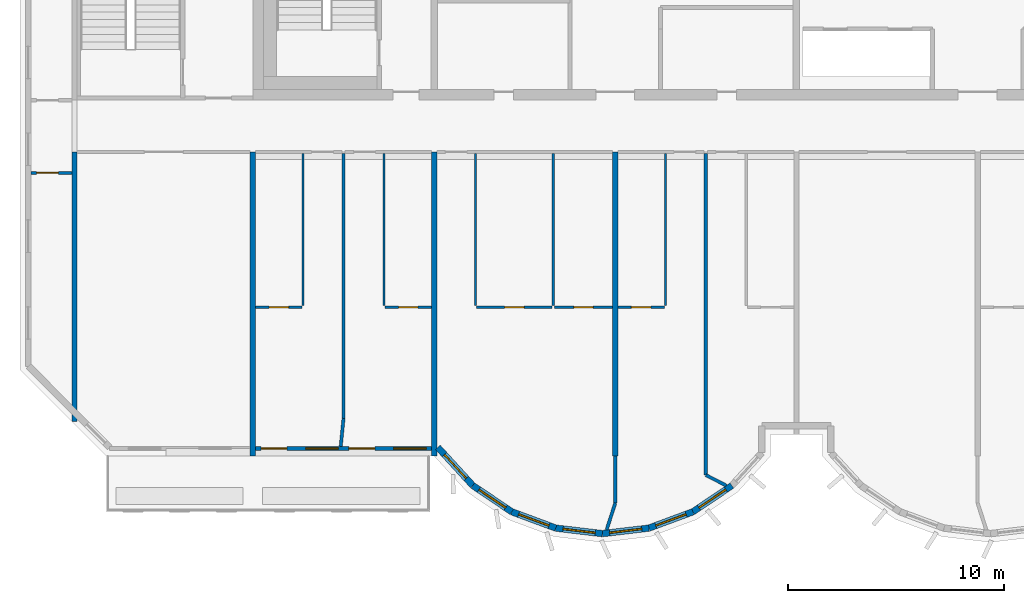
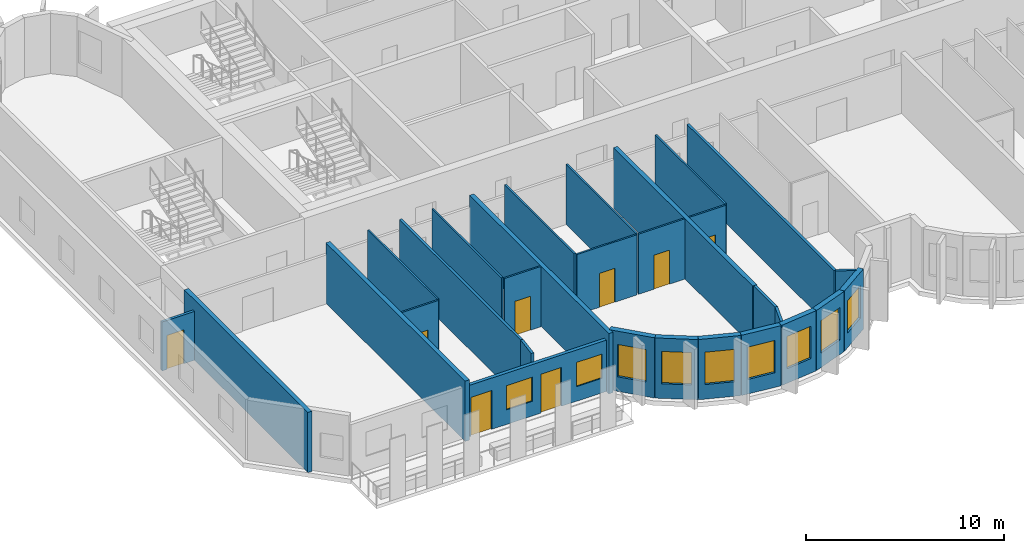
# One storey, part 2 of 11: 29 walls, 9 windows, 8 doors, 17 openings.
"""IFC4 building model written with IfcOpenShell, lengths in metres."""

import ifcopenshell
import ifcopenshell.guid

model = None  # the IFC model being written
_history = None  # IfcOwnerHistory: only IFC2X3 demands one
_inside = {}  # id of a spatial element -> (the spatial element, [elements in it])
_under = {}  # id of a project, library or spatial element -> (it, [spatial elements below it])
_declared = {}  # id of a project -> (the project, [libraries it declares])
_typed = {}  # id of a type object -> (the type object, [elements of that type])
_made_of = {}  # id of a material, layer set ... -> (it, [elements and type objects made of it])


def new_model(schema):
    """Start an empty IFC model of exactly this schema.

    Asked for "IFC4X3", IfcOpenShell would pick the latest addendum, in which some entities
    have other attributes; the version numbers below select the first issue.
    IFC2X3 requires an IfcOwnerHistory on every rooted entity: one is made here for all.
    """
    global model, _history
    if schema == "IFC4X3":
        model = ifcopenshell.file(schema_version=(4, 3, 0, 0))
    else:
        model = ifcopenshell.file(schema=schema)
    _inside.clear()
    _under.clear()
    _declared.clear()
    _typed.clear()
    _made_of.clear()
    _history = None
    if model.schema == "IFC2X3":
        org = make("IfcOrganization", Name="unknown")
        user = make(
            "IfcPersonAndOrganization",
            ThePerson=make("IfcPerson", FamilyName="unknown"),
            TheOrganization=org,
        )
        app = make(
            "IfcApplication",
            ApplicationDeveloper=org,
            Version="unknown",
            ApplicationFullName="unknown",
            ApplicationIdentifier="unknown",
        )
        _history = make(
            "IfcOwnerHistory",
            OwningUser=user,
            OwningApplication=app,
            ChangeAction="ADDED",
            CreationDate=0,
        )
    return model


def make(cls, **values):
    """One entity of the class cls with the attributes given. An attribute that is None is left unset."""
    return model.create_entity(
        cls, **{name: value for name, value in values.items() if value is not None}
    )


def rooted(cls, **values):
    """An entity with a GlobalId (a new one), such as an element, a storey or a relation."""
    return make(cls, GlobalId=ifcopenshell.guid.new(), OwnerHistory=_history, **values)


def si_unit(unit_type, name, prefix=None):
    """IfcSIUnit, for example si_unit("LENGTHUNIT", "METRE", prefix="MILLI")."""
    return make("IfcSIUnit", UnitType=unit_type, Prefix=prefix, Name=name)


def assignment(units):
    """IfcUnitAssignment: the units of a project."""
    return None if units is None else make("IfcUnitAssignment", Units=units)


def point(xyz):
    """IfcCartesianPoint."""
    return None if xyz is None else make("IfcCartesianPoint", Coordinates=xyz)


def direction(xyz):
    """IfcDirection."""
    return None if xyz is None else make("IfcDirection", DirectionRatios=xyz)


def frame(location, z_axis=None, x_axis=None):
    """IfcAxis2Placement3D, a coordinate frame: its origin and axes. An axis left out is left unset."""
    return make(
        "IfcAxis2Placement3D",
        Location=point(location),
        Axis=direction(z_axis),
        RefDirection=direction(x_axis),
    )


def frame_2d(location, x_axis=None):
    """IfcAxis2Placement2D, a coordinate frame in the plane: its origin and x axis."""
    return make(
        "IfcAxis2Placement2D", Location=point(location), RefDirection=direction(x_axis)
    )


def origin():
    """The frame at (0, 0, 0) with its axes left unset."""
    return frame((0.0, 0.0, 0.0))


def place(relative_to, where):
    """IfcLocalPlacement: puts the frame where relative to a parent placement (None: the world)."""
    return make(
        "IfcLocalPlacement", PlacementRelTo=relative_to, RelativePlacement=where
    )


def context(
    kind, dimensions, precision=None, world=None, true_north=None, identifier=None
):
    """IfcGeometricRepresentationContext, for example the 3D "Model" context."""
    return make(
        "IfcGeometricRepresentationContext",
        ContextIdentifier=identifier,
        ContextType=kind,
        CoordinateSpaceDimension=dimensions,
        Precision=precision,
        WorldCoordinateSystem=world,
        TrueNorth=true_north,
    )


def subcontext(parent, identifier, kind, view, scale=None):
    """IfcGeometricRepresentationSubContext, for example "Body" below "Model"."""
    return make(
        "IfcGeometricRepresentationSubContext",
        ContextIdentifier=identifier,
        ContextType=kind,
        ParentContext=parent,
        TargetScale=scale,
        TargetView=view,
    )


def project(units=None, contexts=None):
    """IfcProject with its units and contexts."""
    return rooted(
        "IfcProject",
        Name="project",
        RepresentationContexts=contexts,
        UnitsInContext=assignment(units),
    )


def spatial(cls, under=None, at=None, **own):
    """A site, building, storey or space (cls), placed at a placement, below another one or the project."""
    s = rooted(cls, ObjectPlacement=at, **own)
    if under is not None:
        _under.setdefault(under.id(), (under, []))[1].append(s)
    return s


def profile(cls, at=None, kind="AREA", **sizes):
    """A parametric profile (cls). Its sizes go by their IFC names, for example OverallWidth=200.0."""
    return make(cls, ProfileType=kind, Position=at, **sizes)


def rectangle(**sizes):
    """IfcRectangleProfileDef."""
    return profile("IfcRectangleProfileDef", **sizes)


def extrude(swept, where, along, depth):
    """IfcExtrudedAreaSolid: the profile swept, set in the frame where, extruded along a direction by depth."""
    return make(
        "IfcExtrudedAreaSolid",
        SweptArea=swept,
        Position=where,
        ExtrudedDirection=direction(along),
        Depth=depth,
    )


def shape(context_of_items, identifier, shape_type, items):
    """IfcShapeRepresentation: the items that make up one representation, for example the "Body"."""
    return make(
        "IfcShapeRepresentation",
        ContextOfItems=context_of_items,
        RepresentationIdentifier=identifier,
        RepresentationType=shape_type,
        Items=items,
    )


def source(mapping_origin, context_of_items, identifier, shape_type, items):
    """IfcRepresentationMap: a shape defined once, which mapped items show again and again."""
    return make(
        "IfcRepresentationMap",
        MappingOrigin=mapping_origin,
        MappedRepresentation=shape(context_of_items, identifier, shape_type, items),
    )


def transform(
    local_origin,
    x_axis=None,
    y_axis=None,
    z_axis=None,
    scale=None,
    scale2=None,
    scale3=None,
    uniform=True,
):
    """IfcCartesianTransformationOperator3D, or its non-uniform kind. x_axis, y_axis, z_axis: its Axis1, 2, 3."""
    if uniform:
        return make(
            "IfcCartesianTransformationOperator3D",
            Axis1=direction(x_axis),
            Axis2=direction(y_axis),
            LocalOrigin=point(local_origin),
            Scale=scale,
            Axis3=direction(z_axis),
        )
    return make(
        "IfcCartesianTransformationOperator3DnonUniform",
        Axis1=direction(x_axis),
        Axis2=direction(y_axis),
        LocalOrigin=point(local_origin),
        Scale=scale,
        Axis3=direction(z_axis),
        Scale2=scale2,
        Scale3=scale3,
    )


def mapped(mapping_source, mapping_target):
    """IfcMappedItem: shows the shape of a source again, moved by a transform."""
    return make(
        "IfcMappedItem", MappingSource=mapping_source, MappingTarget=mapping_target
    )


def material(Name=None, Category=None):
    """IfcMaterial."""
    return make("IfcMaterial", Name=Name, Category=Category)


def layer(
    of_material, thickness, ventilated=None, Name=None, Category=None, Priority=None
):
    """IfcMaterialLayer: one layer of a wall or slab, of a material (None: an air gap)."""
    return make(
        "IfcMaterialLayer",
        Material=of_material,
        LayerThickness=thickness,
        IsVentilated=ventilated,
        Name=Name,
        Category=Category,
        Priority=Priority,
    )


def layer_set(layers, Name=None):
    """IfcMaterialLayerSet."""
    return make("IfcMaterialLayerSet", MaterialLayers=layers, LayerSetName=Name)


def made_of(thing, what):
    """Note that an element or type object is made of a material, layer set ...; save() writes the relation."""
    if what is not None:
        _made_of.setdefault(what.id(), (what, []))[1].append(thing)
    return thing


def type_object(cls, material=None, **own):
    """A type object (cls), such as IfcWallType, which elements share."""
    return made_of(rooted(cls, **own), material)


def element(
    cls,
    number,
    at=None,
    inside=None,
    cuts=None,
    type_object=None,
    material=None,
    context=None,
    identifier="Body",
    shape_type=None,
    held_by="IfcProductDefinitionShape",
    body=None,
    shapes=None,
    **own,
):
    """One element of the class cls, such as IfcWall. Its Tag is "e" and its number.

    at: its placement. inside: the storey or other place that contains it. cuts: it is an
    opening in that element (IfcRelVoidsElement). A single representation is given by context,
    identifier, shape_type and body (its items); several are given by shapes. held_by: the class
    of the entity that holds the representations. save() writes the other relations.
    """
    e = rooted(cls, Tag="e%d" % number, ObjectPlacement=at, **own)
    if body is not None:
        shapes = [shape(context, identifier, shape_type, body)]
    if shapes is not None:
        e.Representation = make(held_by, Representations=shapes)
    if inside is not None:
        _inside.setdefault(inside.id(), (inside, []))[1].append(e)
    if cuts is not None:
        rooted(
            "IfcRelVoidsElement", RelatingBuildingElement=cuts, RelatedOpeningElement=e
        )
    if type_object is not None:
        _typed.setdefault(type_object.id(), (type_object, []))[1].append(e)
    return made_of(e, material)


def fill(opening, filler):
    """IfcRelFillsElement: the door or window that sits in an opening."""
    return rooted(
        "IfcRelFillsElement",
        RelatingOpeningElement=opening,
        RelatedBuildingElement=filler,
    )


def aggregate(whole, parts):
    """IfcRelAggregates: a whole, such as a stair, and the parts it consists of."""
    return rooted("IfcRelAggregates", RelatingObject=whole, RelatedObjects=parts)


def save(model, path):
    """Write the relations noted so far, then the file.

    IfcRelAggregates (storeys below a building ...), IfcRelContainedInSpatialStructure (elements
    in a storey), IfcRelDefinesByType, IfcRelAssociatesMaterial and IfcRelDeclares: one each for
    every whole, place, type object, material and project.
    """
    for whole, parts in _under.values():
        aggregate(whole, parts)
    for where, things in _inside.values():
        rooted(
            "IfcRelContainedInSpatialStructure",
            RelatedElements=things,
            RelatingStructure=where,
        )
    for kind, things in _typed.values():
        rooted("IfcRelDefinesByType", RelatedObjects=things, RelatingType=kind)
    for what, things in _made_of.values():
        rooted("IfcRelAssociatesMaterial", RelatedObjects=things, RelatingMaterial=what)
    for by, libraries in _declared.values():
        rooted("IfcRelDeclares", RelatingContext=by, RelatedDefinitions=libraries)
    model.write(path)


model = new_model("IFC4")

# Units and contexts
model_context = context("Model", 3, precision=1e-05, world=origin(), true_north=direction((0.0, 1.0)))
body_context = subcontext(model_context, "Body", "Model", "MODEL_VIEW")
ifc_project = project(units=[si_unit("LENGTHUNIT", "METRE"), si_unit("AREAUNIT", "SQUARE_METRE"), si_unit("VOLUMEUNIT", "CUBIC_METRE"), si_unit("PLANEANGLEUNIT", "RADIAN"), si_unit("MASSUNIT", "GRAM", prefix="KILO")], contexts=[model_context])

# Site, building, storey
site_placement = place(None, origin())
site = spatial("IfcSite", under=ifc_project, at=site_placement, CompositionType="ELEMENT")
building_placement = place(site_placement, origin())
building = spatial("IfcBuilding", under=site, at=building_placement, Name="Vanashikhar Sky Hotel", CompositionType="ELEMENT")
storey_placement = place(building_placement, frame((0.0, 0.0, 305.699951171875)))
storey = spatial("IfcBuildingStorey", under=building, at=storey_placement, Name="L73", CompositionType="ELEMENT", Elevation=305.699951171875)

# Walls
ifc_material_1 = material(Name="Concrete M50", Category="concrete")
ifc_layer_1 = layer(ifc_material_1, 0.25)
ifc_layer_set_1 = layer_set([ifc_layer_1], Name="RC shear wall 250 Concrete M50")
wall_type_1 = type_object("IfcWallType", Name="RC shear wall 250 Concrete M50", PredefinedType="SHEAR", material=ifc_layer_set_1)
shared_shape_1 = source(origin(), body_context, "Body", "SweptSolid", [
    extrude(rectangle(XDim=12.5, YDim=0.25, at=frame_2d((6.25, 0.0))), origin(), (0.0, 0.0, 1.0), 3.719970703125),
])
wall_1_placement = place(storey_placement, frame((16.925048828125, 7.10009765625, 0.0), z_axis=(0.0, 0.0, 1.0), x_axis=(0.0, 1.0, 0.0)))
element("IfcWall", 1, at=wall_1_placement, inside=storey, type_object=wall_type_1, Name="CW-L73-XW03-1", PredefinedType="SHEAR", context=body_context, shape_type="MappedRepresentation", body=[
    mapped(shared_shape_1, transform((0.0, 0.0, 0.0), scale=1.0)),
])
shared_shape_2 = source(origin(), body_context, "Body", "SweptSolid", [
    extrude(rectangle(XDim=14.10009765625, YDim=0.25, at=frame_2d((7.050048828125, 0.0))), origin(), (0.0, 0.0, 1.0), 3.719970703125),
])
for number, where, z_axis, x_axis, name in (
    (2, (25.199951171875, 5.5, 0.0), (0.0, 0.0, 1.0), (0.0, 1.0, 0.0), "CW-L73-XW04-1"),
    (3, (33.60009765625, 5.5, 0.0), (0.0, 0.0, 1.0), (0.0, 1.0, 0.0), "CW-L73-XW05-1"),
    (4, (42.0, 5.5, 0.0), (0.0, 0.0, 1.0), (0.0, 1.0, 0.0), "CW-L73-XW06-1"),
):
    element("IfcWall", number, at=place(storey_placement, frame(where, z_axis=z_axis, x_axis=x_axis)), inside=storey, type_object=wall_type_1, Name=name, PredefinedType="SHEAR", context=body_context, shape_type="MappedRepresentation", body=[
        mapped(shared_shape_2, transform((0.0, 0.0, 0.0), scale=1.0)),
    ])

# Wall, openings, windows, doors
ifc_layer_2 = layer(ifc_material_1, 0.199951171875)
ifc_layer_set_2 = layer_set([ifc_layer_2], Name="Front window wall 200")
wall_type_2 = type_object("IfcWallType", Name="Front window wall 200", PredefinedType="SOLIDWALL", material=ifc_layer_set_2)
shared_shape_3 = source(origin(), body_context, "Body", "SweptSolid", [
    extrude(rectangle(XDim=8.150146484375, YDim=0.199951171875, at=frame_2d((4.0751953125, 0.0))), origin(), (0.0, 0.0, 1.0), 3.170166015625),
])
wall_2_placement = place(storey_placement, frame((25.324951171875, 5.85009765625, 0.0), z_axis=(0.0, 0.0, 1.0), x_axis=(1.0, 0.0, 0.0)))
wall_2 = element("IfcWall", 5, at=wall_2_placement, inside=storey, type_object=wall_type_2, Name="Front window wall", PredefinedType="SOLIDWALL", context=body_context, shape_type="MappedRepresentation", body=[
    mapped(shared_shape_3, transform((0.0, 0.0, 0.0), scale=1.0)),
])
shared_shape_4 = source(origin(), body_context, "Body", "SweptSolid", [
    extrude(rectangle(XDim=1.199951171875, YDim=2.39990234375, at=frame_2d((0.60009765625, 1.199951171875))), frame((0.0, 0.10986328125, 0.0), z_axis=(0.0, -1.0, 0.0), x_axis=(1.0, 0.0, 0.0)), (0.0, 0.0, 1.0), 0.219970703125),
])
opening_1_placement = place(wall_2_placement, frame((0.25, 0.0, 0.0)))
opening_1 = element("IfcOpeningElement", 6, at=opening_1_placement, cuts=wall_2, Name="Opening BD-01", PredefinedType="OPENING", context=body_context, shape_type="MappedRepresentation", body=[
    mapped(shared_shape_4, transform((0.0, 0.0, 0.0), scale=1.0)),
])
shared_shape_5 = source(origin(), body_context, "Body", "SweptSolid", [
    extrude(rectangle(XDim=1.5, YDim=1.5, at=frame_2d((0.75, 0.75))), frame((0.0, 0.10986328125, 0.0), z_axis=(0.0, -1.0, 0.0), x_axis=(1.0, 0.0, 0.0)), (0.0, 0.0, 1.0), 0.219970703125),
])
opening_2_placement = place(wall_2_placement, frame((2.324951171875, 0.0, 0.89990234375)))
opening_2 = element("IfcOpeningElement", 7, at=opening_2_placement, cuts=wall_2, Name="Opening WN-1", PredefinedType="OPENING", context=body_context, shape_type="MappedRepresentation", body=[
    mapped(shared_shape_5, transform((0.0, 0.0, 0.0), scale=1.0)),
])
opening_3_placement = place(wall_2_placement, frame((4.324951171875, 0.0, 0.0)))
opening_3 = element("IfcOpeningElement", 8, at=opening_3_placement, cuts=wall_2, Name="Opening BD-02", PredefinedType="OPENING", context=body_context, shape_type="MappedRepresentation", body=[
    mapped(shared_shape_4, transform((0.0, 0.0, 0.0), scale=1.0)),
])
opening_4_placement = place(wall_2_placement, frame((6.39990234375, 0.0, 0.89990234375)))
opening_4 = element("IfcOpeningElement", 9, at=opening_4_placement, cuts=wall_2, Name="Opening WN-1", PredefinedType="OPENING", context=body_context, shape_type="MappedRepresentation", body=[
    mapped(shared_shape_5, transform((0.0, 0.0, 0.0), scale=1.0)),
])
ifc_material_2 = material(Name="Glass", Category="glass")
window_type_1 = type_object("IfcWindowType", Name="Window 1500 x 1500", PartitioningType="SINGLE_PANEL", PredefinedType="WINDOW", material=ifc_material_2)
shared_shape_6 = source(origin(), body_context, "Body", "SweptSolid", [
    extrude(rectangle(XDim=1.5, YDim=1.5, at=frame_2d((0.75, 0.75))), frame((0.0, 0.030029296875, 0.0), z_axis=(0.0, -1.0, 0.0), x_axis=(1.0, 0.0, 0.0)), (0.0, 0.0, 1.0), 0.06005859375),
])
window_1_placement = place(opening_2_placement, origin())
window_1 = element("IfcWindow", 10, at=window_1_placement, inside=storey, type_object=window_type_1, Name="Window WN-1", OverallHeight=1.5, OverallWidth=1.5, PartitioningType="SINGLE_PANEL", PredefinedType="WINDOW", context=body_context, shape_type="MappedRepresentation", body=[
    mapped(shared_shape_6, transform((0.0, 0.0, 0.0), scale=1.0)),
])
fill(opening_2, window_1)
window_2_placement = place(opening_4_placement, origin())
window_2 = element("IfcWindow", 11, at=window_2_placement, inside=storey, type_object=window_type_1, Name="Window WN-1", OverallHeight=1.5, OverallWidth=1.5, PartitioningType="SINGLE_PANEL", PredefinedType="WINDOW", context=body_context, shape_type="MappedRepresentation", body=[
    mapped(shared_shape_6, transform((0.0, 0.0, 0.0), scale=1.0)),
])
fill(opening_4, window_2)
ifc_material_3 = material(Name="Aluminium", Category="aluminium")
door_type_1 = type_object("IfcDoorType", Name="Balcony sliding door 1200 x 2400", OperationType="NOTDEFINED", PredefinedType="DOOR", material=ifc_material_3)
shared_shape_7 = source(origin(), body_context, "Body", "SweptSolid", [
    extrude(rectangle(XDim=1.199951171875, YDim=2.39990234375, at=frame_2d((0.60009765625, 1.199951171875))), frame((0.0, 0.02490234375, 0.0), z_axis=(0.0, -1.0, 0.0), x_axis=(1.0, 0.0, 0.0)), (0.0, 0.0, 1.0), 0.050048828125),
])
door_1_placement = place(opening_1_placement, origin())
door_1 = element("IfcDoor", 12, at=door_1_placement, inside=storey, type_object=door_type_1, Name="Balcony sliding door", OperationType="SLIDING_TO_LEFT", OverallHeight=2.39990234375, OverallWidth=1.199951171875, PredefinedType="DOOR", context=body_context, shape_type="MappedRepresentation", body=[
    mapped(shared_shape_7, transform((0.0, 0.0, 0.0), scale=1.0)),
])
fill(opening_1, door_1)
door_2_placement = place(opening_3_placement, origin())
door_2 = element("IfcDoor", 13, at=door_2_placement, inside=storey, type_object=door_type_1, Name="Balcony sliding door", OperationType="SLIDING_TO_RIGHT", OverallHeight=2.39990234375, OverallWidth=1.199951171875, PredefinedType="DOOR", context=body_context, shape_type="MappedRepresentation", body=[
    mapped(shared_shape_7, transform((0.0, 0.0, 0.0), scale=1.0)),
])
fill(opening_3, door_2)

# Wall, opening, window
ifc_layer_3 = layer(ifc_material_1, 0.300048828125)
ifc_layer_set_3 = layer_set([ifc_layer_3], Name="Lobe wall 300")
wall_type_3 = type_object("IfcWallType", Name="Lobe wall 300", PredefinedType="SOLIDWALL", material=ifc_layer_set_3)
shared_shape_8 = source(origin(), body_context, "Body", "SweptSolid", [
    extrude(rectangle(XDim=2.398193359375, YDim=0.300048828125, at=frame_2d((1.19921875, 0.0))), origin(), (0.0, 0.0, 1.0), 3.719970703125),
])
wall_3_placement = place(storey_placement, frame((33.776123046875, 5.89990234375, 0.0), z_axis=(0.0, 0.0, 1.0), x_axis=(0.675374189419, -0.737475222815, 0.0)))
wall_3 = element("IfcWall", 14, at=wall_3_placement, inside=storey, type_object=wall_type_3, Name="Lobe wall", PredefinedType="SOLIDWALL", context=body_context, shape_type="MappedRepresentation", body=[
    mapped(shared_shape_8, transform((0.0, 0.0, 0.0), scale=1.0)),
])
shared_shape_9 = source(origin(), body_context, "Body", "SweptSolid", [
    extrude(rectangle(XDim=1.5, YDim=2.0, at=frame_2d((0.75, 1.0))), frame((0.0, 0.16015625, 0.0), z_axis=(0.0, -1.0, 0.0), x_axis=(1.0, 0.0, 0.0)), (0.0, 0.0, 1.0), 0.320068359375),
])
opening_5_placement = place(wall_3_placement, frame((0.44921875, 0.0, 0.89990234375)))
opening_5 = element("IfcOpeningElement", 15, at=opening_5_placement, cuts=wall_3, Name="Opening WN-2", PredefinedType="OPENING", context=body_context, shape_type="MappedRepresentation", body=[
    mapped(shared_shape_9, transform((0.0, 0.0, 0.0), scale=1.0)),
])
window_type_2 = type_object("IfcWindowType", Name="Lobe window 1500 x 2000", PartitioningType="SINGLE_PANEL", PredefinedType="WINDOW", material=ifc_material_2)
shared_shape_10 = source(origin(), body_context, "Body", "SweptSolid", [
    extrude(rectangle(XDim=1.5, YDim=2.0, at=frame_2d((0.75, 1.0))), frame((0.0, 0.030029296875, 0.0), z_axis=(0.0, -1.0, 0.0), x_axis=(1.0, 0.0, 0.0)), (0.0, 0.0, 1.0), 0.06005859375),
])
window_3_placement = place(opening_5_placement, origin())
window_3 = element("IfcWindow", 16, at=window_3_placement, inside=storey, type_object=window_type_2, Name="Window WN-2", OverallHeight=2.0, OverallWidth=1.5, PartitioningType="SINGLE_PANEL", PredefinedType="WINDOW", context=body_context, shape_type="MappedRepresentation", body=[
    mapped(shared_shape_10, transform((0.0, 0.0, 0.0), scale=1.0)),
])
fill(opening_5, window_3)

shared_shape_11 = source(origin(), body_context, "Body", "SweptSolid", [
    extrude(rectangle(XDim=2.17578125, YDim=0.300048828125, at=frame_2d((1.087890625, 0.0))), origin(), (0.0, 0.0, 1.0), 3.719970703125),
])
wall_4_placement = place(storey_placement, frame((35.395751953125, 4.13134765625, 0.0), z_axis=(0.0, 0.0, 1.0), x_axis=(0.829590746428, -0.558371913192, 0.0)))
wall_4 = element("IfcWall", 17, at=wall_4_placement, inside=storey, type_object=wall_type_3, Name="Lobe wall", PredefinedType="SOLIDWALL", context=body_context, shape_type="MappedRepresentation", body=[
    mapped(shared_shape_11, transform((0.0, 0.0, 0.0), scale=1.0)),
])
opening_6_placement = place(wall_4_placement, frame((0.337890625, 0.0, 0.89990234375)))
opening_6 = element("IfcOpeningElement", 18, at=opening_6_placement, cuts=wall_4, Name="Opening WN-2", PredefinedType="OPENING", context=body_context, shape_type="MappedRepresentation", body=[
    mapped(shared_shape_9, transform((0.0, 0.0, 0.0), scale=1.0)),
])
window_4_placement = place(opening_6_placement, origin())
window_4 = element("IfcWindow", 19, at=window_4_placement, inside=storey, type_object=window_type_2, Name="Window WN-2", OverallHeight=2.0, OverallWidth=1.5, PartitioningType="SINGLE_PANEL", PredefinedType="WINDOW", context=body_context, shape_type="MappedRepresentation", body=[
    mapped(shared_shape_10, transform((0.0, 0.0, 0.0), scale=1.0)),
])
fill(opening_6, window_4)

wall_5_placement = place(storey_placement, frame((37.20068359375, 2.91650390625, 0.0), z_axis=(0.0, 0.0, 1.0), x_axis=(0.93754555999, -0.347862505801, 0.0)))
wall_5 = element("IfcWall", 20, at=wall_5_placement, inside=storey, type_object=wall_type_3, Name="Lobe wall", PredefinedType="SOLIDWALL", context=body_context, shape_type="MappedRepresentation", body=[
    mapped(shared_shape_11, transform((0.0, 0.0, 0.0), scale=1.0)),
])
opening_7_placement = place(wall_5_placement, frame((0.337890625, 0.0, 0.89990234375)))
opening_7 = element("IfcOpeningElement", 21, at=opening_7_placement, cuts=wall_5, Name="Opening WN-2", PredefinedType="OPENING", context=body_context, shape_type="MappedRepresentation", body=[
    mapped(shared_shape_9, transform((0.0, 0.0, 0.0), scale=1.0)),
])
window_5_placement = place(opening_7_placement, origin())
window_5 = element("IfcWindow", 22, at=window_5_placement, inside=storey, type_object=window_type_2, Name="Window WN-2", OverallHeight=2.0, OverallWidth=1.5, PartitioningType="SINGLE_PANEL", PredefinedType="WINDOW", context=body_context, shape_type="MappedRepresentation", body=[
    mapped(shared_shape_10, transform((0.0, 0.0, 0.0), scale=1.0)),
])
fill(opening_7, window_5)

wall_6_placement = place(storey_placement, frame((45.59912109375, 2.91650390625, 0.0), z_axis=(0.0, 0.0, 1.0), x_axis=(0.829625727223, 0.558319937607, 0.0)))
wall_6 = element("IfcWall", 23, at=wall_6_placement, inside=storey, type_object=wall_type_3, Name="Lobe wall", PredefinedType="SOLIDWALL", context=body_context, shape_type="MappedRepresentation", body=[
    mapped(shared_shape_11, transform((0.0, 0.0, 0.0), scale=1.0)),
])
opening_8_placement = place(wall_6_placement, frame((0.337890625, 0.0, 0.89990234375)))
opening_8 = element("IfcOpeningElement", 24, at=opening_8_placement, cuts=wall_6, Name="Opening WN-2", PredefinedType="OPENING", context=body_context, shape_type="MappedRepresentation", body=[
    mapped(shared_shape_9, transform((0.0, 0.0, 0.0), scale=1.0)),
])
window_6_placement = place(opening_8_placement, origin())
window_6 = element("IfcWindow", 25, at=window_6_placement, inside=storey, type_object=window_type_2, Name="Window WN-2", OverallHeight=2.0, OverallWidth=1.5, PartitioningType="SINGLE_PANEL", PredefinedType="WINDOW", context=body_context, shape_type="MappedRepresentation", body=[
    mapped(shared_shape_10, transform((0.0, 0.0, 0.0), scale=1.0)),
])
fill(opening_8, window_6)

shared_shape_12 = source(origin(), body_context, "Body", "SweptSolid", [
    extrude(rectangle(XDim=2.174560546875, YDim=0.300048828125, at=frame_2d((1.08740234375, 0.0))), origin(), (0.0, 0.0, 1.0), 3.719970703125),
])
wall_7_placement = place(storey_placement, frame((39.240478515625, 2.15966796875, 0.0), z_axis=(0.0, 0.0, 1.0), x_axis=(0.993001132889, -0.118104826659, 0.0)))
wall_7 = element("IfcWall", 26, at=wall_7_placement, inside=storey, type_object=wall_type_3, Name="Lobe wall", PredefinedType="SOLIDWALL", context=body_context, shape_type="MappedRepresentation", body=[
    mapped(shared_shape_12, transform((0.0, 0.0, 0.0), scale=1.0)),
])
opening_9_placement = place(wall_7_placement, frame((0.33740234375, 0.0, 0.89990234375)))
opening_9 = element("IfcOpeningElement", 27, at=opening_9_placement, cuts=wall_7, Name="Opening WN-2", PredefinedType="OPENING", context=body_context, shape_type="MappedRepresentation", body=[
    mapped(shared_shape_9, transform((0.0, 0.0, 0.0), scale=1.0)),
])
window_7_placement = place(opening_9_placement, origin())
window_7 = element("IfcWindow", 28, at=window_7_placement, inside=storey, type_object=window_type_2, Name="Window WN-2", OverallHeight=2.0, OverallWidth=1.5, PartitioningType="SINGLE_PANEL", PredefinedType="WINDOW", context=body_context, shape_type="MappedRepresentation", body=[
    mapped(shared_shape_10, transform((0.0, 0.0, 0.0), scale=1.0)),
])
fill(opening_9, window_7)

shared_shape_13 = source(origin(), body_context, "Body", "SweptSolid", [
    extrude(rectangle(XDim=2.1748046875, YDim=0.300048828125, at=frame_2d((1.08740234375, 0.0))), origin(), (0.0, 0.0, 1.0), 3.719970703125),
])
wall_8_placement = place(storey_placement, frame((41.39990234375, 1.90283203125, 0.0), z_axis=(0.0, 0.0, 1.0), x_axis=(0.993002698611, 0.118091661648, 0.0)))
wall_8 = element("IfcWall", 29, at=wall_8_placement, inside=storey, type_object=wall_type_3, Name="Lobe wall", PredefinedType="SOLIDWALL", context=body_context, shape_type="MappedRepresentation", body=[
    mapped(shared_shape_13, transform((0.0, 0.0, 0.0), scale=1.0)),
])
opening_10_placement = place(wall_8_placement, frame((0.33740234375, 0.0, 0.89990234375)))
opening_10 = element("IfcOpeningElement", 30, at=opening_10_placement, cuts=wall_8, Name="Opening WN-2", PredefinedType="OPENING", context=body_context, shape_type="MappedRepresentation", body=[
    mapped(shared_shape_9, transform((0.0, 0.0, 0.0), scale=1.0)),
])
window_8_placement = place(opening_10_placement, origin())
window_8 = element("IfcWindow", 31, at=window_8_placement, inside=storey, type_object=window_type_2, Name="Window WN-2", OverallHeight=2.0, OverallWidth=1.5, PartitioningType="SINGLE_PANEL", PredefinedType="WINDOW", context=body_context, shape_type="MappedRepresentation", body=[
    mapped(shared_shape_10, transform((0.0, 0.0, 0.0), scale=1.0)),
])
fill(opening_10, window_8)

shared_shape_14 = source(origin(), body_context, "Body", "SweptSolid", [
    extrude(rectangle(XDim=2.175537109375, YDim=0.300048828125, at=frame_2d((1.087890625, 0.0))), origin(), (0.0, 0.0, 1.0), 3.719970703125),
])
wall_9_placement = place(storey_placement, frame((43.5595703125, 2.15966796875, 0.0), z_axis=(0.0, 0.0, 1.0), x_axis=(0.937531979054, 0.347899106424, 0.0)))
wall_9 = element("IfcWall", 32, at=wall_9_placement, inside=storey, type_object=wall_type_3, Name="Lobe wall", PredefinedType="SOLIDWALL", context=body_context, shape_type="MappedRepresentation", body=[
    mapped(shared_shape_14, transform((0.0, 0.0, 0.0), scale=1.0)),
])
opening_11_placement = place(wall_9_placement, frame((0.337890625, 0.0, 0.89990234375)))
opening_11 = element("IfcOpeningElement", 33, at=opening_11_placement, cuts=wall_9, Name="Opening WN-2", PredefinedType="OPENING", context=body_context, shape_type="MappedRepresentation", body=[
    mapped(shared_shape_9, transform((0.0, 0.0, 0.0), scale=1.0)),
])
window_9_placement = place(opening_11_placement, origin())
window_9 = element("IfcWindow", 34, at=window_9_placement, inside=storey, type_object=window_type_2, Name="Window WN-2", OverallHeight=2.0, OverallWidth=1.5, PartitioningType="SINGLE_PANEL", PredefinedType="WINDOW", context=body_context, shape_type="MappedRepresentation", body=[
    mapped(shared_shape_10, transform((0.0, 0.0, 0.0), scale=1.0)),
])
fill(opening_11, window_9)

# Wall, opening, door
ifc_material_4 = material(Name="Gypsum plasterboard partition")
ifc_layer_4 = layer(ifc_material_4, 0.10009765625)
ifc_layer_set_4 = layer_set([ifc_layer_4], Name="Wet room partition 100")
wall_type_4 = type_object("IfcWallType", Name="Wet room partition 100", PredefinedType="PARTITIONING", material=ifc_layer_set_4)
shared_shape_15 = source(origin(), body_context, "Body", "SweptSolid", [
    extrude(rectangle(XDim=3.5, YDim=0.10009765625, at=frame_2d((1.75, 0.0))), origin(), (0.0, 0.0, 1.0), 3.719970703125),
])
wall_10_placement = place(storey_placement, frame((35.574951171875, 12.39990234375, 0.0), z_axis=(0.0, 0.0, 1.0), x_axis=(1.0, 0.0, 0.0)))
wall_10 = element("IfcWall", 35, at=wall_10_placement, inside=storey, type_object=wall_type_4, Name="W-L73-PW011", PredefinedType="PARTITIONING", context=body_context, shape_type="MappedRepresentation", body=[
    mapped(shared_shape_15, transform((0.0, 0.0, 0.0), scale=1.0)),
])
shared_shape_16 = source(origin(), body_context, "Body", "SweptSolid", [
    extrude(rectangle(XDim=0.89990234375, YDim=2.10009765625, at=frame_2d((0.449951171875, 1.050048828125))), frame((0.0, 0.06005859375, 0.0), z_axis=(0.0, -1.0, 0.0), x_axis=(1.0, 0.0, 0.0)), (0.0, 0.0, 1.0), 0.1201171875),
])
opening_12_placement = place(wall_10_placement, frame((1.300048828125, 0.0, 0.0)))
opening_12 = element("IfcOpeningElement", 36, at=opening_12_placement, cuts=wall_10, Name="Opening D-02", PredefinedType="OPENING", context=body_context, shape_type="MappedRepresentation", body=[
    mapped(shared_shape_16, transform((0.0, 0.0, 0.0), scale=1.0)),
])
ifc_material_5 = material(Name="Timber door", Category="wood")
door_type_2 = type_object("IfcDoorType", Name="Internal door 900", OperationType="NOTDEFINED", PredefinedType="DOOR", material=ifc_material_5)
shared_shape_17 = source(origin(), body_context, "Body", "SweptSolid", [
    extrude(rectangle(XDim=0.89990234375, YDim=2.10009765625, at=frame_2d((0.449951171875, 1.050048828125))), frame((0.0, 0.02490234375, 0.0), z_axis=(0.0, -1.0, 0.0), x_axis=(1.0, 0.0, 0.0)), (0.0, 0.0, 1.0), 0.050048828125),
])
door_3_placement = place(opening_12_placement, origin())
door_3 = element("IfcDoor", 37, at=door_3_placement, inside=storey, type_object=door_type_2, Name="D-L73-006", OperationType="SINGLE_SWING_LEFT", OverallHeight=2.10009765625, OverallWidth=0.89990234375, PredefinedType="DOOR", context=body_context, shape_type="MappedRepresentation", body=[
    mapped(shared_shape_17, transform((0.0, 0.0, 0.0), scale=1.0)),
])
fill(opening_12, door_3)

shared_shape_18 = source(origin(), body_context, "Body", "SweptSolid", [
    extrude(rectangle(XDim=2.699951171875, YDim=0.10009765625, at=frame_2d((1.35009765625, 0.0))), origin(), (0.0, 0.0, 1.0), 3.719970703125),
])
wall_11_placement = place(storey_placement, frame((39.175048828125, 12.39990234375, 0.0), z_axis=(0.0, 0.0, 1.0), x_axis=(1.0, 0.0, 0.0)))
wall_11 = element("IfcWall", 38, at=wall_11_placement, inside=storey, type_object=wall_type_4, Name="W-L73-PW012", PredefinedType="PARTITIONING", context=body_context, shape_type="MappedRepresentation", body=[
    mapped(shared_shape_18, transform((0.0, 0.0, 0.0), scale=1.0)),
])
opening_13_placement = place(wall_11_placement, frame((0.89990234375, 0.0, 0.0)))
opening_13 = element("IfcOpeningElement", 39, at=opening_13_placement, cuts=wall_11, Name="Opening D-02", PredefinedType="OPENING", context=body_context, shape_type="MappedRepresentation", body=[
    mapped(shared_shape_16, transform((0.0, 0.0, 0.0), scale=1.0)),
])
door_4_placement = place(opening_13_placement, origin())
door_4 = element("IfcDoor", 40, at=door_4_placement, inside=storey, type_object=door_type_2, Name="D-L73-007", OperationType="SINGLE_SWING_LEFT", OverallHeight=2.10009765625, OverallWidth=0.89990234375, PredefinedType="DOOR", context=body_context, shape_type="MappedRepresentation", body=[
    mapped(shared_shape_17, transform((0.0, 0.0, 0.0), scale=1.0)),
])
fill(opening_13, door_4)

# Wall
ifc_layer_5 = layer(ifc_material_4, 0.14990234375)
ifc_layer_set_5 = layer_set([ifc_layer_5], Name="Corridor and demising partition 150")
wall_type_5 = type_object("IfcWallType", Name="Corridor and demising partition 150", PredefinedType="PARTITIONING", material=ifc_layer_set_5)
shared_shape_19 = source(origin(), body_context, "Body", "SweptSolid", [
    extrude(rectangle(XDim=2.177978515625, YDim=0.14990234375, at=frame_2d((1.0888671875, 0.0))), origin(), (0.0, 0.0, 1.0), 3.719970703125),
])
wall_12_placement = place(storey_placement, frame((42.0, 3.322021484375, 0.0), z_axis=(0.0, 0.0, 1.0), x_axis=(0.0, 1.0, 0.0)))
element("IfcWall", 41, at=wall_12_placement, inside=storey, type_object=wall_type_5, Name="W-L73-PW041", PredefinedType="PARTITIONING", context=body_context, shape_type="MappedRepresentation", body=[
    mapped(shared_shape_19, transform((0.0, 0.0, 0.0), scale=1.0)),
])

# Wall, opening, door
shared_shape_20 = source(origin(), body_context, "Body", "SweptSolid", [
    extrude(rectangle(XDim=1.900146484375, YDim=0.14990234375, at=frame_2d((0.9501953125, 0.0))), origin(), (0.0, 0.0, 1.0), 3.02001953125),
])
wall_13_placement = place(storey_placement, frame((14.89990234375, 18.6279296875, 0.0), z_axis=(0.0, 0.0, 1.0), x_axis=(1.0, 0.0, 0.0)))
wall_13 = element("IfcWall", 42, at=wall_13_placement, inside=storey, type_object=wall_type_5, Name="W-L73-PW044", PredefinedType="PARTITIONING", context=body_context, shape_type="MappedRepresentation", body=[
    mapped(shared_shape_20, transform((0.0, 0.0, 0.0), scale=1.0)),
])
shared_shape_21 = source(origin(), body_context, "Body", "SweptSolid", [
    extrude(rectangle(XDim=1.0, YDim=2.10009765625, at=frame_2d((0.5, 1.050048828125))), frame((0.0, 0.0849609375, 0.0), z_axis=(0.0, -1.0, 0.0), x_axis=(1.0, 0.0, 0.0)), (0.0, 0.0, 1.0), 0.169921875),
])
opening_14_placement = place(wall_13_placement, frame((0.27490234375, 0.0, 0.0)))
opening_14 = element("IfcOpeningElement", 43, at=opening_14_placement, cuts=wall_13, Name="Opening D-01", PredefinedType="OPENING", context=body_context, shape_type="MappedRepresentation", body=[
    mapped(shared_shape_21, transform((0.0, 0.0, 0.0), scale=1.0)),
])
ifc_material_6 = material(Name="Timber fire door", Category="wood")
door_type_3 = type_object("IfcDoorType", Name="Guest entry door 1000 FD30S", OperationType="NOTDEFINED", PredefinedType="DOOR", material=ifc_material_6)
shared_shape_22 = source(origin(), body_context, "Body", "SweptSolid", [
    extrude(rectangle(XDim=1.0, YDim=2.10009765625, at=frame_2d((0.5, 1.050048828125))), frame((0.0, 0.02490234375, 0.0), z_axis=(0.0, -1.0, 0.0), x_axis=(1.0, 0.0, 0.0)), (0.0, 0.0, 1.0), 0.050048828125),
])
door_5_placement = place(opening_14_placement, origin())
door_5 = element("IfcDoor", 44, at=door_5_placement, inside=storey, type_object=door_type_3, Name="D-L73-026", OperationType="SINGLE_SWING_LEFT", OverallHeight=2.10009765625, OverallWidth=1.0, PredefinedType="DOOR", context=body_context, shape_type="MappedRepresentation", body=[
    mapped(shared_shape_22, transform((0.0, 0.0, 0.0), scale=1.0)),
])
fill(opening_14, door_5)

# Walls
shared_shape_23 = source(origin(), body_context, "Body", "SweptSolid", [
    extrude(rectangle(XDim=1.308349609375, YDim=0.14990234375, at=frame_2d((0.654296875, 0.0))), origin(), (0.0, 0.0, 1.0), 3.719970703125),
])
wall_14_placement = place(storey_placement, frame((41.597900390625, 2.076904296875, 0.0), z_axis=(0.0, 0.0, 1.0), x_axis=(0.307313512187, 0.951608325535, 0.0)))
element("IfcWall", 45, at=wall_14_placement, inside=storey, type_object=wall_type_5, Name="W-L73-PW041B0", PredefinedType="PARTITIONING", context=body_context, shape_type="MappedRepresentation", body=[
    mapped(shared_shape_23, transform((0.0, 0.0, 0.0), scale=1.0)),
])
shared_shape_24 = source(origin(), body_context, "Body", "SweptSolid", [
    extrude(rectangle(XDim=12.27490234375, YDim=0.14990234375, at=frame_2d((6.137451171875, 0.0))), origin(), (0.0, 0.0, 1.0), 3.719970703125),
])
wall_15_placement = place(storey_placement, frame((29.39990234375, 7.25, 0.0), z_axis=(0.0, 0.0, 1.0), x_axis=(0.0, 1.0, 0.0)))
element("IfcWall", 46, at=wall_15_placement, inside=storey, type_object=wall_type_5, Name="W-L73-PW008", PredefinedType="PARTITIONING", context=body_context, shape_type="MappedRepresentation", body=[
    mapped(shared_shape_24, transform((0.0, 0.0, 0.0), scale=1.0)),
])
shared_shape_25 = source(origin(), body_context, "Body", "SweptSolid", [
    extrude(rectangle(XDim=1.306640625, YDim=0.14990234375, at=frame_2d((0.6533203125, 0.0))), origin(), (0.0, 0.0, 1.0), 3.719970703125),
])
wall_16_placement = place(storey_placement, frame((29.27001953125, 5.949951171875, 0.0), z_axis=(0.0, 0.0, 1.0), x_axis=(0.099411212066, 0.995046436562, 0.0)))
element("IfcWall", 47, at=wall_16_placement, inside=storey, type_object=wall_type_5, Name="W-L73-PW008B0", PredefinedType="PARTITIONING", context=body_context, shape_type="MappedRepresentation", body=[
    mapped(shared_shape_25, transform((0.0, 0.0, 0.0), scale=1.0)),
])
shared_shape_26 = source(origin(), body_context, "Body", "SweptSolid", [
    extrude(rectangle(XDim=7.0498046875, YDim=0.10009765625, at=frame_2d((3.52490234375, 0.0))), origin(), (0.0, 0.0, 1.0), 3.719970703125),
])
for number, where, z_axis, x_axis, name in (
    (48, (27.52490234375, 12.47509765625, 0.0), (0.0, 0.0, 1.0), (0.0, 1.0, 0.0), "W-L73-PW002"),
    (49, (31.27490234375, 12.47509765625, 0.0), (0.0, 0.0, 1.0), (0.0, 1.0, 0.0), "W-L73-PW005"),
    (50, (35.52490234375, 12.47509765625, 0.0), (0.0, 0.0, 1.0), (0.0, 1.0, 0.0), "W-L73-PW009"),
    (51, (39.125, 12.47509765625, 0.0), (0.0, 0.0, 1.0), (0.0, 1.0, 0.0), "W-L73-PW010"),
    (52, (44.324951171875, 12.47509765625, 0.0), (0.0, 0.0, 1.0), (0.0, 1.0, 0.0), "W-L73-PW014"),
):
    element("IfcWall", number, at=place(storey_placement, frame(where, z_axis=z_axis, x_axis=x_axis)), inside=storey, type_object=wall_type_4, Name=name, PredefinedType="PARTITIONING", context=body_context, shape_type="MappedRepresentation", body=[
        mapped(shared_shape_26, transform((0.0, 0.0, 0.0), scale=1.0)),
    ])

# Wall, opening, door
shared_shape_27 = source(origin(), body_context, "Body", "SweptSolid", [
    extrude(rectangle(XDim=2.150146484375, YDim=0.10009765625, at=frame_2d((1.0751953125, 0.0))), origin(), (0.0, 0.0, 1.0), 3.719970703125),
])
wall_17_placement = place(storey_placement, frame((25.324951171875, 12.39990234375, 0.0), z_axis=(0.0, 0.0, 1.0), x_axis=(1.0, 0.0, 0.0)))
wall_17 = element("IfcWall", 53, at=wall_17_placement, inside=storey, type_object=wall_type_4, Name="W-L73-PW003", PredefinedType="PARTITIONING", context=body_context, shape_type="MappedRepresentation", body=[
    mapped(shared_shape_27, transform((0.0, 0.0, 0.0), scale=1.0)),
])
opening_15_placement = place(wall_17_placement, frame((0.625, 0.0, 0.0)))
opening_15 = element("IfcOpeningElement", 54, at=opening_15_placement, cuts=wall_17, Name="Opening D-02", PredefinedType="OPENING", context=body_context, shape_type="MappedRepresentation", body=[
    mapped(shared_shape_16, transform((0.0, 0.0, 0.0), scale=1.0)),
])
door_6_placement = place(opening_15_placement, origin())
door_6 = element("IfcDoor", 55, at=door_6_placement, inside=storey, type_object=door_type_2, Name="D-L73-002", OperationType="SINGLE_SWING_RIGHT", OverallHeight=2.10009765625, OverallWidth=0.89990234375, PredefinedType="DOOR", context=body_context, shape_type="MappedRepresentation", body=[
    mapped(shared_shape_17, transform((0.0, 0.0, 0.0), scale=1.0)),
])
fill(opening_15, door_6)

wall_18_placement = place(storey_placement, frame((31.324951171875, 12.39990234375, 0.0), z_axis=(0.0, 0.0, 1.0), x_axis=(1.0, 0.0, 0.0)))
wall_18 = element("IfcWall", 56, at=wall_18_placement, inside=storey, type_object=wall_type_4, Name="W-L73-PW006", PredefinedType="PARTITIONING", context=body_context, shape_type="MappedRepresentation", body=[
    mapped(shared_shape_27, transform((0.0, 0.0, 0.0), scale=1.0)),
])
opening_16_placement = place(wall_18_placement, frame((0.625, 0.0, 0.0)))
opening_16 = element("IfcOpeningElement", 57, at=opening_16_placement, cuts=wall_18, Name="Opening D-02", PredefinedType="OPENING", context=body_context, shape_type="MappedRepresentation", body=[
    mapped(shared_shape_16, transform((0.0, 0.0, 0.0), scale=1.0)),
])
door_7_placement = place(opening_16_placement, origin())
door_7 = element("IfcDoor", 58, at=door_7_placement, inside=storey, type_object=door_type_2, Name="D-L73-004", OperationType="SINGLE_SWING_LEFT", OverallHeight=2.10009765625, OverallWidth=0.89990234375, PredefinedType="DOOR", context=body_context, shape_type="MappedRepresentation", body=[
    mapped(shared_shape_17, transform((0.0, 0.0, 0.0), scale=1.0)),
])
fill(opening_16, door_7)

shared_shape_28 = source(origin(), body_context, "Body", "SweptSolid", [
    extrude(rectangle(XDim=2.14990234375, YDim=0.10009765625, at=frame_2d((1.074951171875, 0.0))), origin(), (0.0, 0.0, 1.0), 3.719970703125),
])
wall_19_placement = place(storey_placement, frame((42.125, 12.39990234375, 0.0), z_axis=(0.0, 0.0, 1.0), x_axis=(1.0, 0.0, 0.0)))
wall_19 = element("IfcWall", 59, at=wall_19_placement, inside=storey, type_object=wall_type_4, Name="W-L73-PW015", PredefinedType="PARTITIONING", context=body_context, shape_type="MappedRepresentation", body=[
    mapped(shared_shape_28, transform((0.0, 0.0, 0.0), scale=1.0)),
])
opening_17_placement = place(wall_19_placement, frame((0.625, 0.0, 0.0)))
opening_17 = element("IfcOpeningElement", 60, at=opening_17_placement, cuts=wall_19, Name="Opening D-02", PredefinedType="OPENING", context=body_context, shape_type="MappedRepresentation", body=[
    mapped(shared_shape_16, transform((0.0, 0.0, 0.0), scale=1.0)),
])
door_8_placement = place(opening_17_placement, origin())
door_8 = element("IfcDoor", 61, at=door_8_placement, inside=storey, type_object=door_type_2, Name="D-L73-009", OperationType="SINGLE_SWING_RIGHT", OverallHeight=2.10009765625, OverallWidth=0.89990234375, PredefinedType="DOOR", context=body_context, shape_type="MappedRepresentation", body=[
    mapped(shared_shape_17, transform((0.0, 0.0, 0.0), scale=1.0)),
])
fill(opening_17, door_8)

# Walls
shared_shape_29 = source(origin(), body_context, "Body", "SweptSolid", [
    extrude(rectangle(XDim=14.906005859375, YDim=0.14990234375, at=frame_2d((7.453125, 0.0))), origin(), (0.0, 0.0, 1.0), 3.719970703125),
])
wall_20_placement = place(storey_placement, frame((46.199951171875, 4.618896484375, 0.0), z_axis=(0.0, 0.0, 1.0), x_axis=(0.0, 1.0, 0.0)))
element("IfcWall", 62, at=wall_20_placement, inside=storey, type_object=wall_type_5, Name="W-L73-PW020", PredefinedType="PARTITIONING", context=body_context, shape_type="MappedRepresentation", body=[
    mapped(shared_shape_29, transform((0.0, 0.0, 0.0), scale=1.0)),
])
shared_shape_30 = source(origin(), body_context, "Body", "SweptSolid", [
    extrude(rectangle(XDim=1.0576171875, YDim=0.14990234375, at=frame_2d((0.52880859375, 0.0))), origin(), (0.0, 0.0, 1.0), 3.719970703125),
])
wall_21_placement = place(storey_placement, frame((47.139892578125, 4.134033203125, 0.0), z_axis=(0.0, 0.0, 1.0), x_axis=(-0.888723819054, 0.458442988218, 0.0)))
element("IfcWall", 63, at=wall_21_placement, inside=storey, type_object=wall_type_5, Name="W-L73-PW020B0", PredefinedType="PARTITIONING", context=body_context, shape_type="MappedRepresentation", body=[
    mapped(shared_shape_30, transform((0.0, 0.0, 0.0), scale=1.0)),
])

save(model, "model.ifc")
